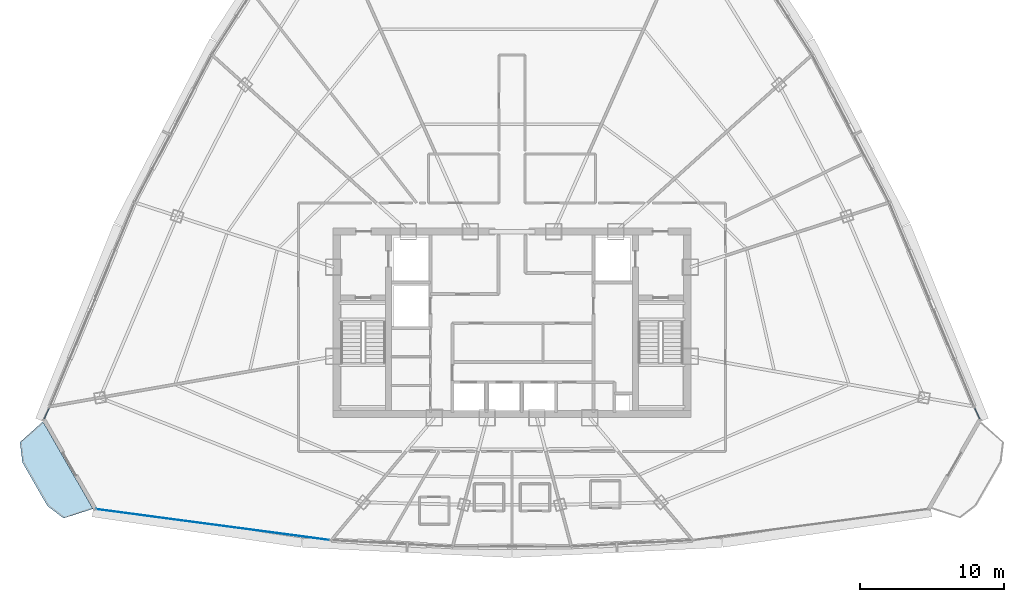
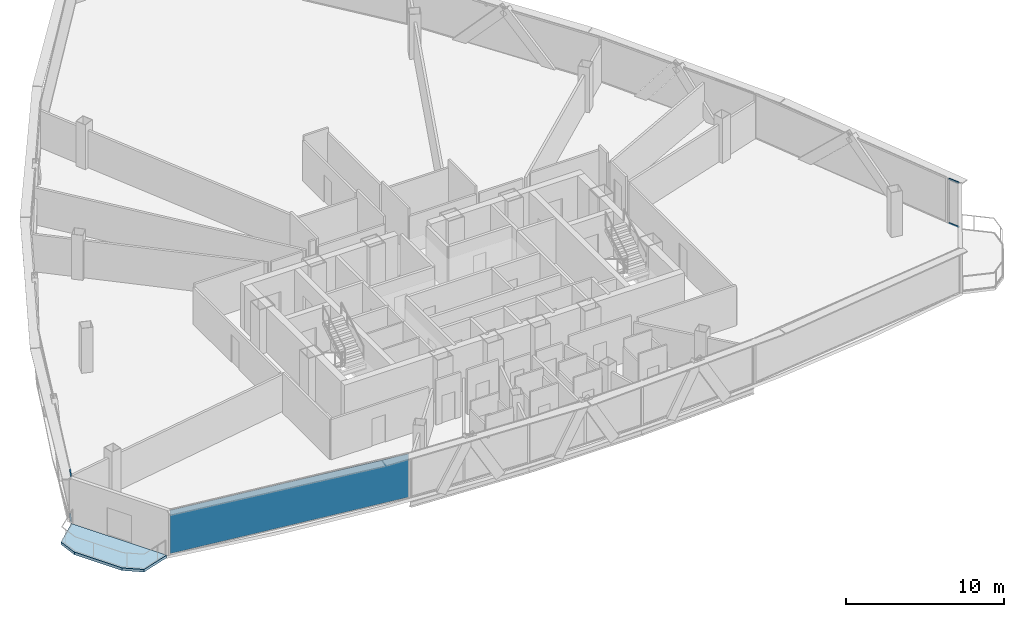
# One storey, part 27 of 37: 4 members, 1 plate, 1 slab, 3 elements without a shape of their own.
"""IFC4 building model written with IfcOpenShell, lengths in metres."""

from ifc_helpers import new_model, si_unit, direction, frame, origin, origin_2d, place, context, subcontext, project, spatial, polyline, rectangle, hollow_rectangle, outline, extrude, source, transform, mapped, material, layer, layer_set, material_profile, profile_set, type_object, element, aggregate, save


model = new_model("IFC4")

# Units and contexts
model_context = context("Model", 3, precision=1e-05, world=origin(), true_north=direction((0.0, 1.0)))
body_context = subcontext(model_context, "Body", "Model", "MODEL_VIEW")
ifc_project = project(units=[si_unit("LENGTHUNIT", "METRE"), si_unit("AREAUNIT", "SQUARE_METRE"), si_unit("VOLUMEUNIT", "CUBIC_METRE"), si_unit("PLANEANGLEUNIT", "RADIAN"), si_unit("MASSUNIT", "GRAM", prefix="KILO"), si_unit("THERMODYNAMICTEMPERATUREUNIT", "KELVIN"), si_unit("POWERUNIT", "WATT")], contexts=[model_context])

# Site, building, storey
site_placement = place(None, origin())
site = spatial("IfcSite", under=ifc_project, at=site_placement, CompositionType="ELEMENT")
building_placement = place(site_placement, origin())
building = spatial("IfcBuilding", under=site, at=building_placement, Name="Yunzhuo Pagoda Commons", CompositionType="ELEMENT")
storey_placement = place(building_placement, frame((0.0, 0.0, 277.56005859375)))
storey = spatial("IfcBuildingStorey", under=building, at=storey_placement, Name="L69", CompositionType="ELEMENT", Elevation=277.56005859375)

# Curtain wall, members
ifc_material_1 = material(Name="Anodized aluminium 6063-T6", Category="aluminium")
ifc_layer_1 = layer(ifc_material_1, 0.139892578125)
ifc_layer_set_1 = layer_set([ifc_layer_1], Name="Anodized aluminium 6063-T6")
curtain_wall_type = type_object("IfcCurtainWallType", Name="CW-HI High-Zone Ribbon Curtain Wall", PredefinedType="NOTDEFINED", material=ifc_layer_set_1)
curtain_wall_1_placement = place(storey_placement, origin())
curtain_wall_1 = element("IfcCurtainWall", 1, at=curtain_wall_1_placement, inside=storey, type_object=curtain_wall_type, Name="L69 curtain wall CW-L69-F2B1", PredefinedType="NOTDEFINED")
ifc_material_profile = material_profile(ifc_material_1, hollow_rectangle(XDim=0.054931640625, YDim=0.1201171875, WallThickness=0.00341796875, at=origin_2d()), Name="Anodized aluminium 6063-T6")
ifc_profile_set = profile_set([ifc_material_profile], Name="Anodized aluminium 6063-T6")
member_type = type_object("IfcMemberType", Name="CW-HI-T Transom RHS 120x55x3.5", PredefinedType="USERDEFINED", material=ifc_profile_set)
shared_shape_1 = source(origin(), body_context, "Body", "SweptSolid", [
    extrude(hollow_rectangle(XDim=0.054931640625, YDim=0.1201171875, WallThickness=0.00341796875, at=origin_2d()), origin(), (0.0, 0.0, 1.0), 0.802490234375),
])
member_1_placement = place(storey_placement, frame((80.54541015625, 27.180908203125, 0.02734375), z_axis=(-0.421602795033, 0.906780614714, 0.0), x_axis=(-0.906780614714, -0.421602795033, 0.0)))
member_1 = element("IfcMember", 2, at=member_1_placement, type_object=member_type, Name="CW transom 1.1", ObjectType="TRANSOM", PredefinedType="USERDEFINED", context=body_context, shape_type="MappedRepresentation", body=[
    mapped(shared_shape_1, transform((0.0, 0.0, 0.0), scale=1.0)),
])
member_2_placement = place(storey_placement, frame((80.54541015625, 27.180908203125, 3.4423828125), z_axis=(-0.421602795033, 0.906780614714, 0.0), x_axis=(-0.906780614714, -0.421602795033, 0.0)))
member_2 = element("IfcMember", 3, at=member_2_placement, type_object=member_type, Name="CW transom 1.2", ObjectType="TRANSOM", PredefinedType="USERDEFINED", context=body_context, shape_type="MappedRepresentation", body=[
    mapped(shared_shape_1, transform((0.0, 0.0, 0.0), scale=1.0)),
])
aggregate(curtain_wall_1, [member_1, member_2])

curtain_wall_2_placement = place(storey_placement, origin())
curtain_wall_2 = element("IfcCurtainWall", 4, at=curtain_wall_2_placement, inside=storey, type_object=curtain_wall_type, Name="L69 curtain wall CW-L69-F3B5", PredefinedType="NOTDEFINED")
member_3_placement = place(storey_placement, frame((15.79296875, 27.90869140625, 0.02734375), z_axis=(-0.421602795033, -0.906780614714, 0.0), x_axis=(0.906780614714, -0.421602795033, 0.0)))
member_3 = element("IfcMember", 5, at=member_3_placement, type_object=member_type, Name="CW transom 1.1", ObjectType="TRANSOM", PredefinedType="USERDEFINED", context=body_context, shape_type="MappedRepresentation", body=[
    mapped(shared_shape_1, transform((0.0, 0.0, 0.0), scale=1.0)),
])
member_4_placement = place(storey_placement, frame((15.79296875, 27.90869140625, 3.4423828125), z_axis=(-0.421602795033, -0.906780614714, 0.0), x_axis=(0.906780614714, -0.421602795033, 0.0)))
member_4 = element("IfcMember", 6, at=member_4_placement, type_object=member_type, Name="CW transom 1.2", ObjectType="TRANSOM", PredefinedType="USERDEFINED", context=body_context, shape_type="MappedRepresentation", body=[
    mapped(shared_shape_1, transform((0.0, 0.0, 0.0), scale=1.0)),
])
aggregate(curtain_wall_2, [member_3, member_4])

# Slab
ifc_material_2 = material(Name="Concrete C40", Category="concrete")
ifc_layer_2 = layer(ifc_material_2, 0.199951171875)
ifc_layer_set_2 = layer_set([ifc_layer_2], Name="Concrete C40")
slab_type = type_object("IfcSlabType", Name="SL-BAL Vertex Balcony Deck Slab 200", PredefinedType="FLOOR", material=ifc_layer_set_2)
slab_placement = place(storey_placement, frame((0.0, 0.0, -0.199951171875)))
element("IfcSlab", 7, at=slab_placement, inside=storey, type_object=slab_type, Name="L69 corner balcony V1", PredefinedType="FLOOR", context=body_context, shape_type="SweptSolid", body=[
    extrude(outline(polyline([(15.359619140625, 26.976806640625), (18.841796875, 20.912109375), (16.801025390625, 20.25927734375), (15.677490234375, 21.111328125), (13.936279296875, 24.1435546875), (13.766845703125, 25.54345703125), (15.359619140625, 26.976806640625)])), origin(), (0.0, 0.0, 1.0), 0.199951171875),
])

# Curtain wall, plate
curtain_wall_3_placement = place(storey_placement, origin())
curtain_wall_3 = element("IfcCurtainWall", 8, at=curtain_wall_3_placement, inside=storey, type_object=curtain_wall_type, Name="L69 curtain wall CW-L69-F1B1", PredefinedType="NOTDEFINED")
ifc_material_3 = material(Name="Tempered low-e double glazing", Category="glass")
ifc_layer_3 = layer(ifc_material_3, 0.02587890625)
ifc_layer_set_3 = layer_set([ifc_layer_3], Name="Tempered low-e double glazing")
plate_type = type_object("IfcPlateType", Name="CW-HI-P Low-E Double Glazing 26", PredefinedType="CURTAIN_PANEL", material=ifc_layer_set_3)
shared_shape_2 = source(origin(), body_context, "Body", "SweptSolid", [
    extrude(rectangle(XDim=16.37353515625, YDim=0.028076171875, at=origin_2d()), origin(), (0.0, 0.0, 1.0), 3.360107421875),
])
plate_placement = place(storey_placement, frame((27.181640625, 19.81396484375, 0.0546875), z_axis=(0.0, 0.0, 1.0), x_axis=(0.991341168318, -0.131311416098, 0.0)))
plate = element("IfcPlate", 9, at=plate_placement, type_object=plate_type, Name="CW panel 1.1", PredefinedType="CURTAIN_PANEL", context=body_context, shape_type="MappedRepresentation", body=[
    mapped(shared_shape_2, transform((0.0, 0.0, 0.0), scale=1.0)),
])
aggregate(curtain_wall_3, [plate])

save(model, "model.ifc")
